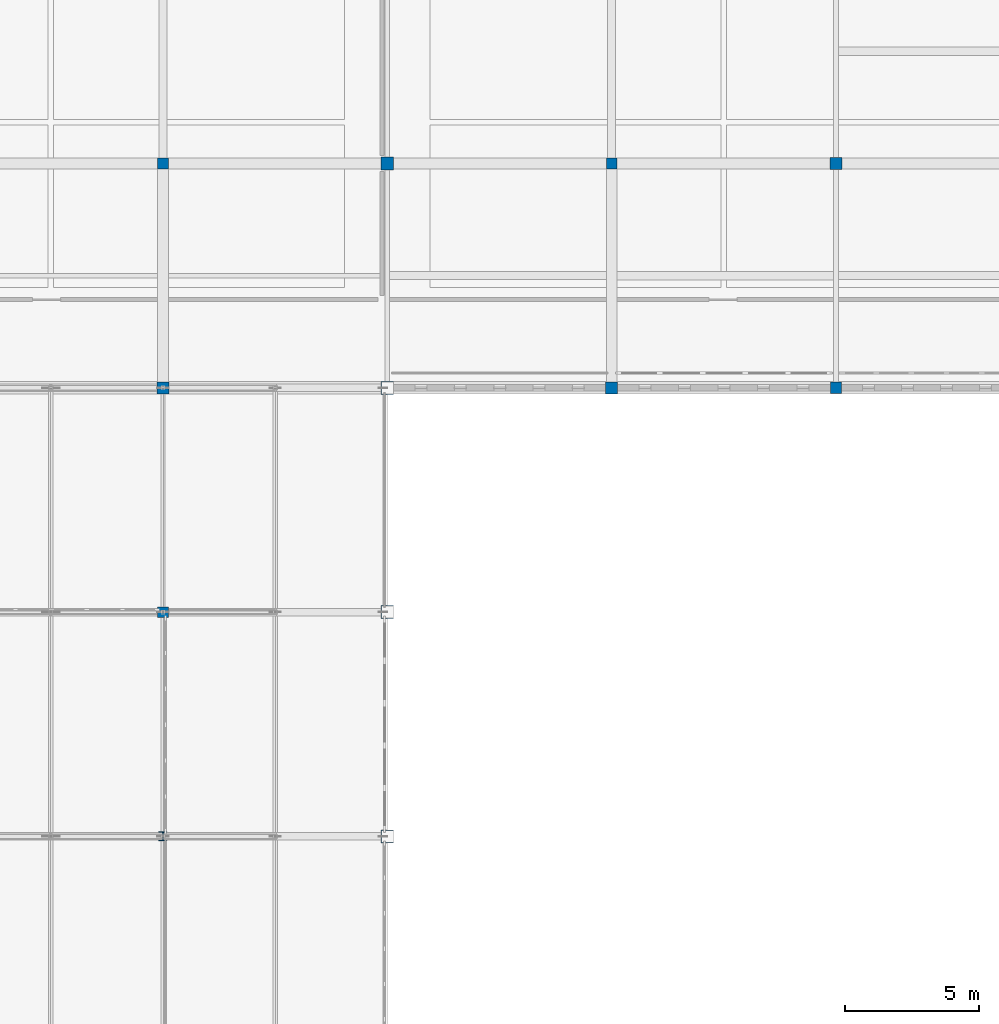
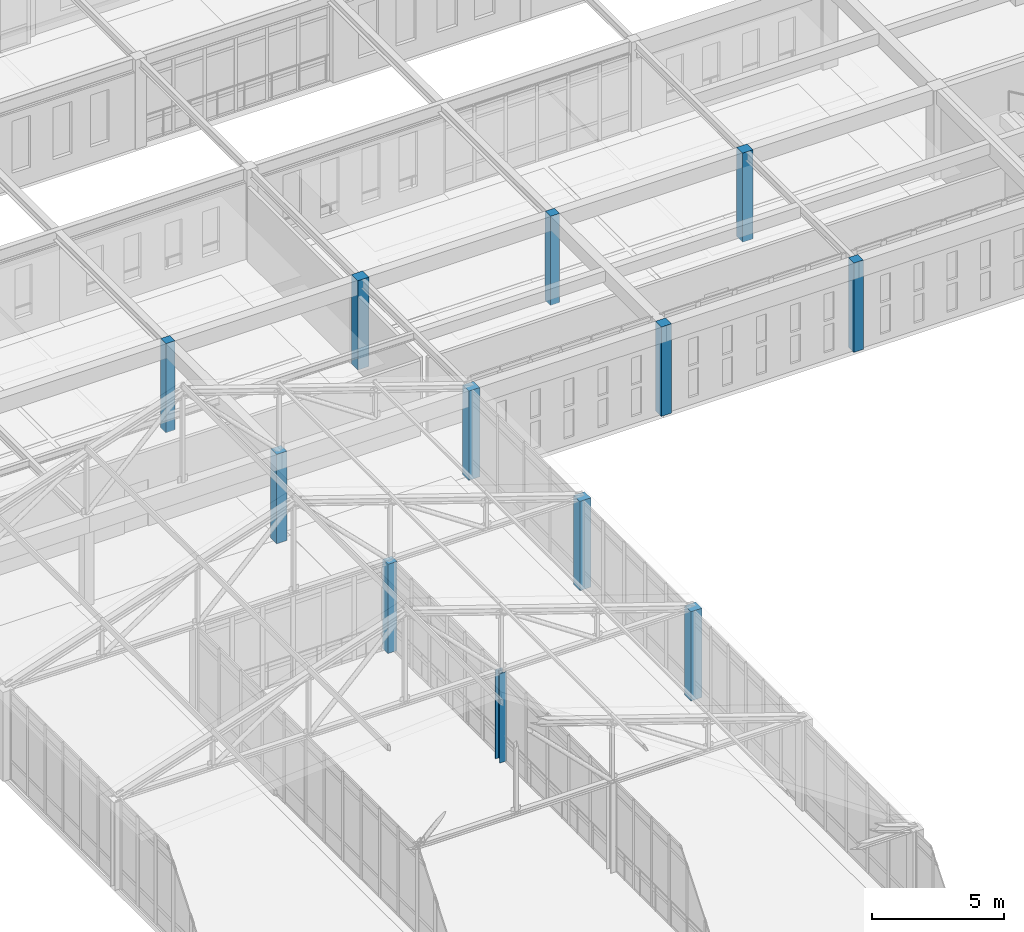
# One storey, part 11 of 192: 12 columns.
"""IFC4 building model written with IfcOpenShell, lengths in metres."""

from ifc_helpers import new_model, si_unit, direction, frame, origin, origin_2d, place, context, subcontext, project, spatial, rectangle, i_section, extrude, material, material_profile, profile_set, type_object, element, save


model = new_model("IFC4")

# Units and contexts
model_context = context("Model", 3, precision=1e-05, world=origin(), true_north=direction((0.0, 1.0)))
body_context = subcontext(model_context, "Body", "Model", "MODEL_VIEW")
ifc_project = project(units=[si_unit("LENGTHUNIT", "METRE"), si_unit("AREAUNIT", "SQUARE_METRE"), si_unit("VOLUMEUNIT", "CUBIC_METRE"), si_unit("PLANEANGLEUNIT", "RADIAN"), si_unit("MASSUNIT", "GRAM", prefix="KILO")], contexts=[model_context])

# Site, building, storey
site_placement = place(None, origin())
site = spatial("IfcSite", under=ifc_project, at=site_placement, CompositionType="ELEMENT")
building_placement = place(site_placement, origin())
building = spatial("IfcBuilding", under=site, at=building_placement, Name="Kveldsbrygga Polytechnic", CompositionType="ELEMENT")
storey_placement = place(building_placement, frame((0.0, 0.0, 5.43994140625)))
storey = spatial("IfcBuildingStorey", under=building, at=storey_placement, Name="L01", CompositionType="ELEMENT", Elevation=5.43994140625)

# Columns
ifc_material_1 = material(Name="Concrete C45/55", Category="concrete")
ifc_material_profile_1 = material_profile(ifc_material_1, rectangle(XDim=0.39990234375, YDim=0.39990234375, at=origin_2d()), Name="RC 400x400")
ifc_profile_set_1 = profile_set([ifc_material_profile_1], Name="Concrete C45/55")
column_type_1 = type_object("IfcColumnType", Name="COL-RC-400", PredefinedType="COLUMN", material=ifc_profile_set_1)
for number, where, z_axis, x_axis, name in (
    (1, (67.199951171875, 75.60009765625, 0.0), (0.0, 0.0, 1.0), (1.0, 0.0, 0.0), "Column COL-L01-08-09"),
    (2, (67.199951171875, 92.39990234375, 0.0), (0.0, 0.0, 1.0), (1.0, 0.0, 0.0), "Column COL-L01-08-11"),
    (3, (84.0, 92.39990234375, 0.0), (0.0, 0.0, 1.0), (1.0, 0.0, 0.0), "Column COL-L01-10-11"),
):
    element("IfcColumn", number, at=place(storey_placement, frame(where, z_axis=z_axis, x_axis=x_axis)), inside=storey, type_object=column_type_1, Name=name, PredefinedType="COLUMN", context=body_context, shape_type="SweptSolid", body=[
        extrude(rectangle(XDim=0.39990234375, YDim=0.39990234375, at=origin_2d()), origin(), (0.0, 0.0, 1.0), 4.1201171875),
    ])
ifc_material_profile_2 = material_profile(ifc_material_1, rectangle(XDim=0.419921875, YDim=0.419921875, at=origin_2d()), Name="RC 420x420")
ifc_profile_set_2 = profile_set([ifc_material_profile_2], Name="Concrete C45/55")
column_type_2 = type_object("IfcColumnType", Name="COL-RC-420", PredefinedType="COLUMN", material=ifc_profile_set_2)
column_1_placement = place(storey_placement, frame((92.39990234375, 84.0, 0.0), z_axis=(0.0, 0.0, 1.0), x_axis=(1.0, 0.0, 0.0)))
element("IfcColumn", 4, at=column_1_placement, inside=storey, type_object=column_type_2, Name="Column COL-L01-11-10", PredefinedType="COLUMN", context=body_context, shape_type="SweptSolid", body=[
    extrude(rectangle(XDim=0.419921875, YDim=0.419921875, at=origin_2d()), origin(), (0.0, 0.0, 1.0), 4.1201171875),
])
ifc_material_profile_3 = material_profile(ifc_material_1, rectangle(XDim=0.449951171875, YDim=0.449951171875, at=origin_2d()), Name="RC 450x450")
ifc_profile_set_3 = profile_set([ifc_material_profile_3], Name="Concrete C45/55")
column_type_3 = type_object("IfcColumnType", Name="COL-RC-450", PredefinedType="COLUMN", material=ifc_profile_set_3)
for number, where, z_axis, x_axis, name in (
    (5, (67.199951171875, 84.0, 0.0), (0.0, 0.0, 1.0), (1.0, 0.0, 0.0), "Column COL-L01-08-10"),
    (6, (84.0, 84.0, 0.0), (0.0, 0.0, 1.0), (1.0, 0.0, 0.0), "Column COL-L01-10-10"),
    (7, (92.39990234375, 92.39990234375, 0.0), (0.0, 0.0, 1.0), (1.0, 0.0, 0.0), "Column COL-L01-11-11"),
):
    element("IfcColumn", number, at=place(storey_placement, frame(where, z_axis=z_axis, x_axis=x_axis)), inside=storey, type_object=column_type_3, Name=name, PredefinedType="COLUMN", context=body_context, shape_type="SweptSolid", body=[
        extrude(rectangle(XDim=0.449951171875, YDim=0.449951171875, at=origin_2d()), origin(), (0.0, 0.0, 1.0), 4.1201171875),
    ])
ifc_material_profile_4 = material_profile(ifc_material_1, rectangle(XDim=0.47998046875, YDim=0.47998046875, at=origin_2d()), Name="RC 480x480")
ifc_profile_set_4 = profile_set([ifc_material_profile_4], Name="Concrete C45/55")
column_type_4 = type_object("IfcColumnType", Name="COL-RC-480", PredefinedType="COLUMN", material=ifc_profile_set_4)
for number, where, z_axis, x_axis, name in (
    (8, (75.60009765625, 67.199951171875, 0.0), (0.0, 0.0, 1.0), (1.0, 0.0, 0.0), "Column COL-L01-09-08"),
    (9, (75.60009765625, 75.60009765625, 0.0), (0.0, 0.0, 1.0), (1.0, 0.0, 0.0), "Column COL-L01-09-09"),
    (10, (75.60009765625, 84.0, 0.0), (0.0, 0.0, 1.0), (1.0, 0.0, 0.0), "Column COL-L01-09-10"),
    (11, (75.60009765625, 92.39990234375, 0.0), (0.0, 0.0, 1.0), (1.0, 0.0, 0.0), "Column COL-L01-09-11"),
):
    element("IfcColumn", number, at=place(storey_placement, frame(where, z_axis=z_axis, x_axis=x_axis)), inside=storey, type_object=column_type_4, Name=name, PredefinedType="COLUMN", context=body_context, shape_type="SweptSolid", body=[
        extrude(rectangle(XDim=0.47998046875, YDim=0.47998046875, at=origin_2d()), origin(), (0.0, 0.0, 1.0), 4.1201171875),
    ])
ifc_material_2 = material(Name="Steel S355", Category="steel")
ifc_material_profile_5 = material_profile(ifc_material_2, i_section(OverallWidth=0.300048828125, OverallDepth=0.340087890625, WebThickness=0.011962890625, FlangeThickness=0.021484375, FilletRadius=0.027099609375, at=origin_2d()), Name="HEB 340")
ifc_profile_set_5 = profile_set([ifc_material_profile_5], Name="Steel S355")
column_type_5 = type_object("IfcColumnType", Name="COL-STL-HEB340", PredefinedType="COLUMN", material=ifc_profile_set_5)
column_2_placement = place(storey_placement, frame((67.199951171875, 67.199951171875, 0.0), z_axis=(0.0, 0.0, 1.0), x_axis=(1.0, 0.0, 0.0)))
element("IfcColumn", 12, at=column_2_placement, inside=storey, type_object=column_type_5, Name="Column COL-L01-08-08", PredefinedType="COLUMN", context=body_context, shape_type="SweptSolid", body=[
    extrude(i_section(OverallWidth=0.300048828125, OverallDepth=0.340087890625, WebThickness=0.011962890625, FlangeThickness=0.021484375, FilletRadius=0.027099609375, at=origin_2d()), origin(), (0.0, 0.0, 1.0), 4.1201171875),
])

save(model, "model.ifc")
